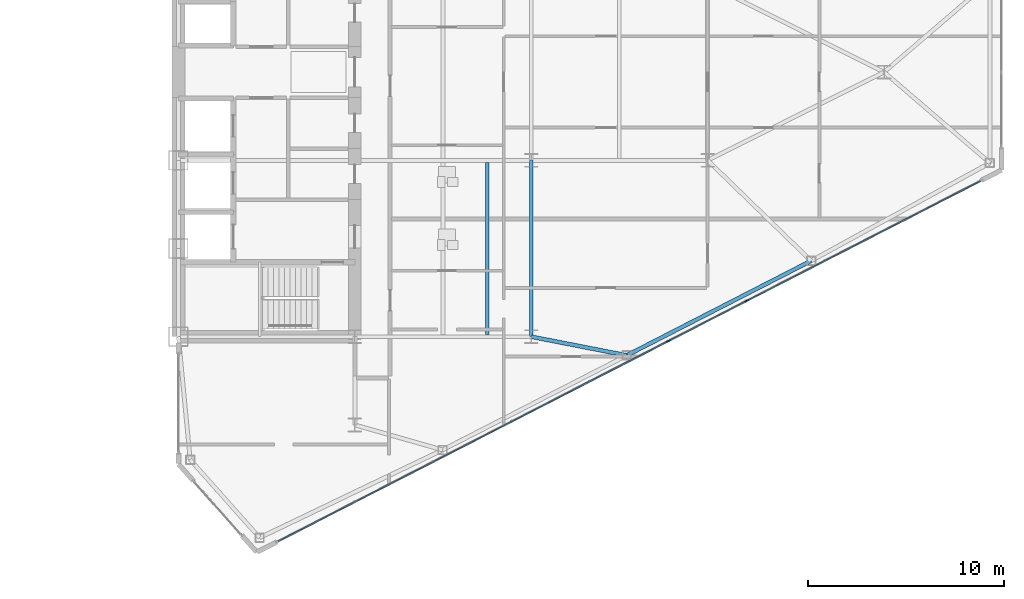
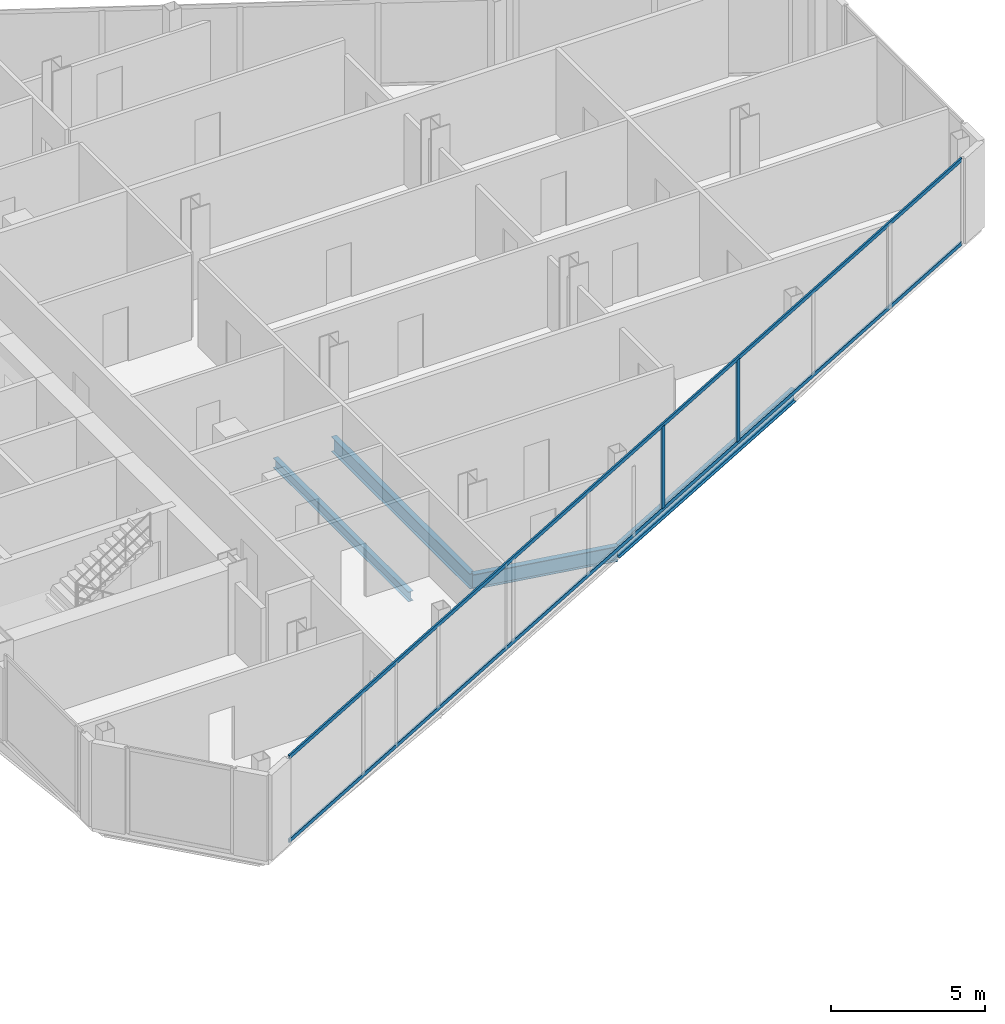
# One storey, part 9 of 24: 4 beams, 4 members, 1 element without a shape of its own.
"""IFC4 building model written with IfcOpenShell, lengths in metres."""

from ifc_helpers import new_model, si_unit, direction, frame, origin, origin_2d, place, context, subcontext, project, spatial, rectangle, i_section, extrude, source, transform, mapped, material, layer, layer_set, material_profile, profile_set, type_object, type_shapes, element, aggregate, save


model = new_model("IFC4")

# Units and contexts
model_context = context("Model", 3, precision=1e-05, world=origin(), true_north=direction((0.0, 1.0)))
body_context = subcontext(model_context, "Body", "Model", "MODEL_VIEW")
ifc_project = project(units=[si_unit("LENGTHUNIT", "METRE"), si_unit("AREAUNIT", "SQUARE_METRE"), si_unit("VOLUMEUNIT", "CUBIC_METRE"), si_unit("PLANEANGLEUNIT", "RADIAN"), si_unit("MASSUNIT", "GRAM", prefix="KILO")], contexts=[model_context])

# Site, building, storey
site_placement = place(None, origin())
site = spatial("IfcSite", under=ifc_project, at=site_placement, CompositionType="ELEMENT")
building_placement = place(site_placement, origin())
building = spatial("IfcBuilding", under=site, at=building_placement, Name="Seokmaru Belvedere", CompositionType="ELEMENT")
storey_placement = place(building_placement, frame((0.0, 0.0, 114.0)))
storey = spatial("IfcBuildingStorey", under=building, at=storey_placement, Name="L30", CompositionType="ELEMENT", Elevation=114.0)

# Beams
ifc_material_1 = material(Name="Steel SM355 (355 MPa)", Category="steel")
ifc_material_profile_1 = material_profile(ifc_material_1, i_section(OverallWidth=0.199951171875, OverallDepth=0.60009765625, WebThickness=0.010986328125, FlangeThickness=0.01708984375, at=origin_2d()), Name="H-600x200x11x17")
ifc_profile_set_1 = profile_set([ifc_material_profile_1], Name="Steel SM355 (355 MPa)")
beam_type_1 = type_object("IfcBeamType", Name="Primary Floor Girder H-600", PredefinedType="BEAM", material=ifc_profile_set_1)
shared_shape_1 = source(origin(), body_context, "Body", "SweptSolid", [
    extrude(i_section(OverallWidth=0.199951171875, OverallDepth=0.60009765625, WebThickness=0.010986328125, FlangeThickness=0.01708984375, at=origin_2d()), origin(), (0.0, 0.0, 1.0), 9.0),
])
beam_1_placement = place(storey_placement, frame((45.5, -13.5, -0.52001953125), z_axis=(0.0, 1.0, 0.0), x_axis=(-1.0, 0.0, 0.0)))
element("IfcBeam", 1, at=beam_1_placement, inside=storey, type_object=beam_type_1, Name="L30 E Interior Grid Girder 1", PredefinedType="BEAM", context=body_context, shape_type="MappedRepresentation", body=[
    mapped(shared_shape_1, transform((0.0, 0.0, 0.0), scale=1.0)),
])
ifc_material_profile_2 = material_profile(ifc_material_1, i_section(OverallWidth=0.18505859375, OverallDepth=0.389892578125, WebThickness=0.008056640625, FlangeThickness=0.011962890625, at=origin_2d()), Name="H-390x185x8x12")
ifc_profile_set_2 = profile_set([ifc_material_profile_2], Name="Steel SM355 (355 MPa)")
beam_type_2 = type_object("IfcBeamType", Name="Secondary Floor Joist H-350", PredefinedType="JOIST", material=ifc_profile_set_2)
shared_shape_2 = source(origin(), body_context, "Body", "SweptSolid", [
    extrude(i_section(OverallWidth=0.18505859375, OverallDepth=0.389892578125, WebThickness=0.008056640625, FlangeThickness=0.011962890625, at=origin_2d()), origin(), (0.0, 0.0, 1.0), 8.7900390625),
])
type_shapes(beam_type_2, [shared_shape_2])
beam_2_placement = place(storey_placement, frame((43.25, -13.39501953125, -0.4150390625), z_axis=(0.0, 1.0, 0.0), x_axis=(-1.0, 0.0, 0.0)))
element("IfcBeam", 2, at=beam_2_placement, inside=storey, type_object=beam_type_2, Name="L30 E Wing Inner Secondary Joist 1", PredefinedType="JOIST", context=body_context, shape_type="MappedRepresentation", body=[
    mapped(shared_shape_2, transform((0.0, 0.0, 0.0), scale=1.0)),
])
ifc_material_profile_3 = material_profile(ifc_material_1, i_section(OverallWidth=0.199951171875, OverallDepth=0.5, WebThickness=0.010009765625, FlangeThickness=0.01611328125, at=origin_2d()), Name="H-500x200x10x16")
ifc_profile_set_3 = profile_set([ifc_material_profile_3], Name="Steel SM355 (355 MPa)")
beam_type_3 = type_object("IfcBeamType", Name="Perimeter Spandrel Beam H-500", PredefinedType="SPANDREL", material=ifc_profile_set_3)
shared_shape_3 = source(origin(), body_context, "Body", "SweptSolid", [
    extrude(i_section(OverallWidth=0.199951171875, OverallDepth=0.5, WebThickness=0.010009765625, FlangeThickness=0.01611328125, at=origin_2d()), origin(), (0.0, 0.0, 1.0), 10.56689453125),
])
type_shapes(beam_type_3, [shared_shape_3])
beam_3_placement = place(storey_placement, frame((50.377197265625, -14.453369140625, -0.469970703125), z_axis=(0.889692588006, 0.456560071455, 0.0), x_axis=(-0.456560071455, 0.889692588006, 0.0)))
element("IfcBeam", 3, at=beam_3_placement, inside=storey, type_object=beam_type_3, Name="L30 E Faceted Flank Spandrel S-3", PredefinedType="SPANDREL", context=body_context, shape_type="MappedRepresentation", body=[
    mapped(shared_shape_3, transform((0.0, 0.0, 0.0), scale=1.0)),
])
shared_shape_4 = source(origin(), body_context, "Body", "SweptSolid", [
    extrude(i_section(OverallWidth=0.199951171875, OverallDepth=0.60009765625, WebThickness=0.010986328125, FlangeThickness=0.01708984375, at=origin_2d()), origin(), (0.0, 0.0, 1.0), 4.969482421875),
])
type_shapes(beam_type_1, [shared_shape_1, shared_shape_4])
beam_4_placement = place(storey_placement, frame((50.377197265625, -14.453369140625, -0.52001953125), z_axis=(-0.98142544456, 0.19184393858, 0.0), x_axis=(-0.19184393858, -0.98142544456, 0.0)))
element("IfcBeam", 4, at=beam_4_placement, inside=storey, type_object=beam_type_1, Name="L30 E Flank Radial Floor Girder S-2", PredefinedType="BEAM", context=body_context, shape_type="MappedRepresentation", body=[
    mapped(shared_shape_4, transform((0.0, 0.0, 0.0), scale=1.0)),
])

# Curtain wall, members
ifc_material_2 = material(Name="Bronze Triple Insulating Glass", Category="glass")
ifc_layer = layer(ifc_material_2, 0.195068359375)
ifc_layer_set = layer_set([ifc_layer], Name="Bronze Triple Insulating Glass")
curtain_wall_type = type_object("IfcCurtainWallType", Name="Sky-Lobby and Mid-Rise Curtain Wall System CW-4", PredefinedType="NOTDEFINED", material=ifc_layer_set)
curtain_wall_placement = place(storey_placement, origin())
curtain_wall = element("IfcCurtainWall", 5, at=curtain_wall_placement, inside=storey, type_object=curtain_wall_type, Name="L30 Curtain Wall EF1", PredefinedType="NOTDEFINED")
ifc_material_3 = material(Name="Anodised Bronze Aluminium", Category="aluminium")
ifc_material_profile_4 = material_profile(ifc_material_3, rectangle(XDim=0.070068359375, YDim=0.195068359375, at=origin_2d()), Name="CW-M-70x195")
ifc_profile_set_4 = profile_set([ifc_material_profile_4], Name="Anodised Bronze Aluminium")
member_type_1 = type_object("IfcMemberType", Name="Bronze Unitised Mullion 70x195", PredefinedType="MULLION", material=ifc_profile_set_4)
shared_shape_5 = source(origin(), body_context, "Body", "SweptSolid", [
    extrude(rectangle(XDim=0.070068359375, YDim=0.195068359375, at=origin_2d()), origin(), (0.0, 0.0, 1.0), 3.25),
])
type_shapes(member_type_1, [shared_shape_5])
member_1_placement = place(storey_placement, frame((52.497314453125, -13.72509765625, 0.06494140625), z_axis=(0.0, 0.0, 1.0), x_axis=(-0.456554528263, 0.889695432562, 0.0)))
member_1 = element("IfcMember", 6, at=member_1_placement, type_object=member_type_1, Name="CW:L30:EF1 Mullion 6", PredefinedType="MULLION", context=body_context, shape_type="MappedRepresentation", body=[
    mapped(shared_shape_5, transform((0.0, 0.0, 0.0), scale=1.0)),
])
member_2_placement = place(storey_placement, frame((56.4921875, -11.675048828125, 0.06494140625), z_axis=(0.0, 0.0, 1.0), x_axis=(-0.456554528263, 0.889695432562, 0.0)))
member_2 = element("IfcMember", 7, at=member_2_placement, type_object=member_type_1, Name="CW:L30:EF1 Mullion 7", PredefinedType="MULLION", context=body_context, shape_type="MappedRepresentation", body=[
    mapped(shared_shape_5, transform((0.0, 0.0, 0.0), scale=1.0)),
])
ifc_material_profile_5 = material_profile(ifc_material_3, rectangle(XDim=0.06494140625, YDim=0.14990234375, at=origin_2d()), Name="CW-T-65x150")
ifc_profile_set_5 = profile_set([ifc_material_profile_5], Name="Anodised Bronze Aluminium")
member_type_2 = type_object("IfcMemberType", Name="Bronze Unitised Transom 65x150", PredefinedType="USERDEFINED", material=ifc_profile_set_5)
shared_shape_6 = source(origin(), body_context, "Body", "SweptSolid", [
    extrude(rectangle(XDim=0.06494140625, YDim=0.14990234375, at=origin_2d()), origin(), (0.0, 0.0, 1.0), 40.271240234375),
])
type_shapes(member_type_2, [shared_shape_6])
member_3_placement = place(storey_placement, frame((32.58544921875, -23.943115234375, 0.032470703125), z_axis=(0.889693089107, 0.456559094965, 0.0), x_axis=(-0.456559094965, 0.889693089107, 0.0)))
member_3 = element("IfcMember", 8, at=member_3_placement, type_object=member_type_2, Name="CW:L30:EF1 Continuous Transom 1", ObjectType="TRANSOM", PredefinedType="USERDEFINED", context=body_context, shape_type="MappedRepresentation", body=[
    mapped(shared_shape_6, transform((0.0, 0.0, 0.0), scale=1.0)),
])
member_4_placement = place(storey_placement, frame((32.58544921875, -23.943115234375, 3.347412109375), z_axis=(0.889693089107, 0.456559094965, 0.0), x_axis=(-0.456559094965, 0.889693089107, 0.0)))
member_4 = element("IfcMember", 9, at=member_4_placement, type_object=member_type_2, Name="CW:L30:EF1 Continuous Transom 2", ObjectType="TRANSOM", PredefinedType="USERDEFINED", context=body_context, shape_type="MappedRepresentation", body=[
    mapped(shared_shape_6, transform((0.0, 0.0, 0.0), scale=1.0)),
])
aggregate(curtain_wall, [member_1, member_2, member_3, member_4])

save(model, "model.ifc")
